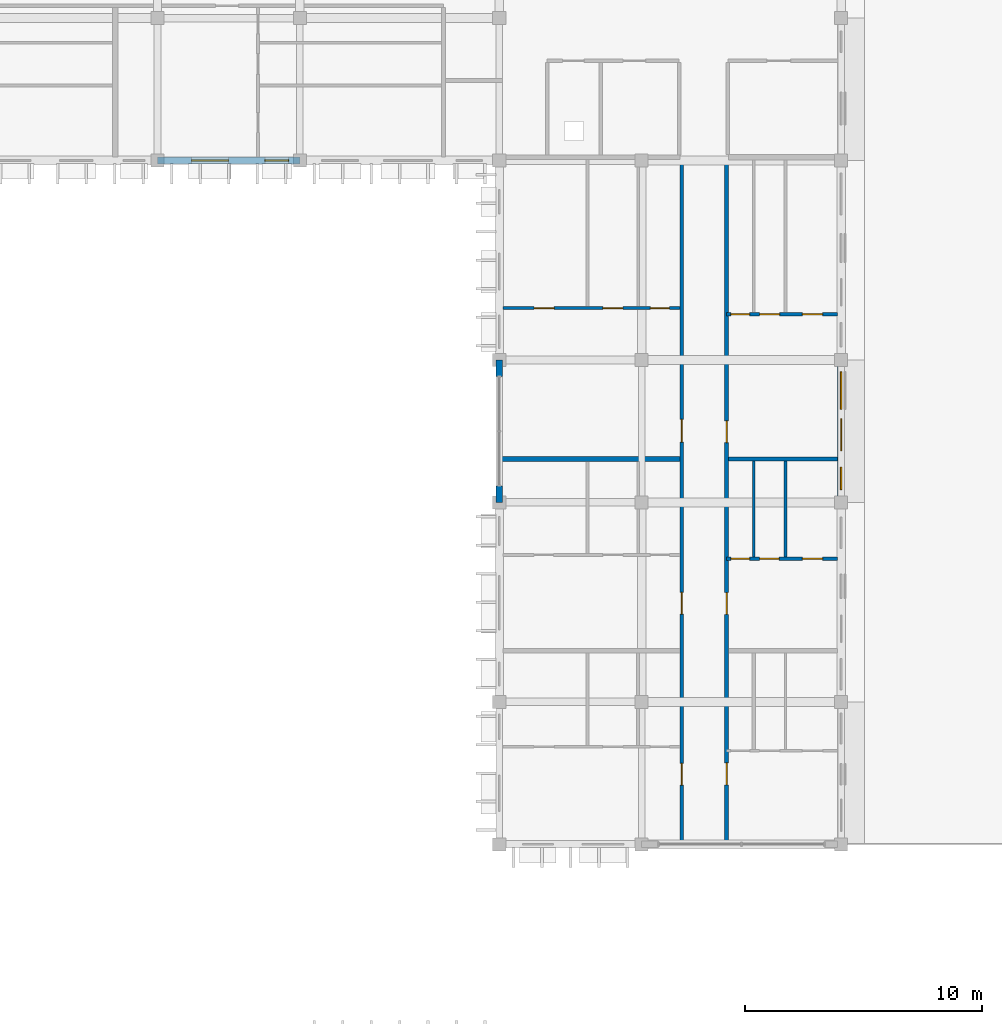
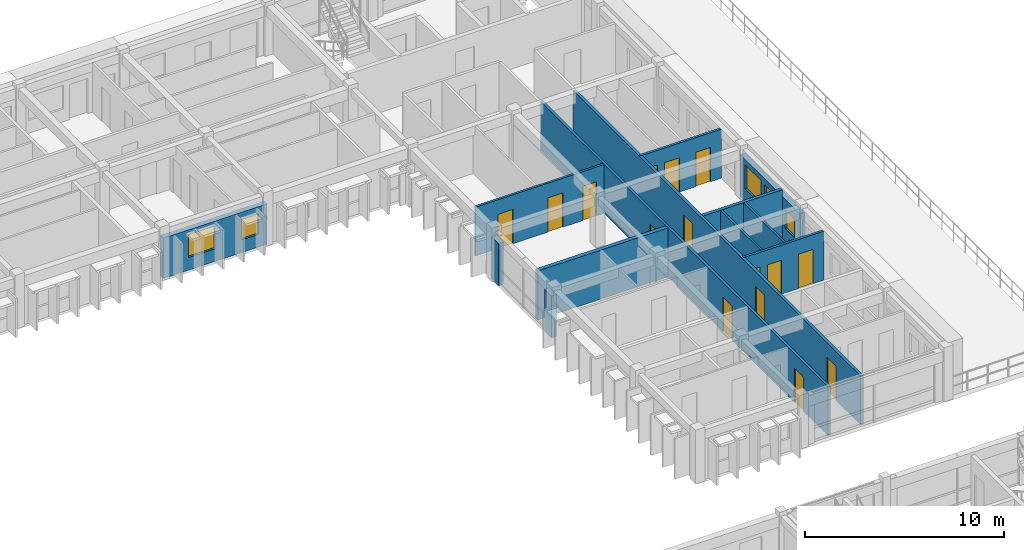
# One storey, part 43 of 68: 16 doors, 13 walls, 4 windows, 20 openings.
"""IFC4 building model written with IfcOpenShell, lengths in metres."""

from ifc_helpers import new_model, si_unit, direction, frame, frame_2d, origin, place, context, subcontext, project, spatial, rectangle, extrude, material, layer, layer_set, type_object, element, fill, save


model = new_model("IFC4")

# Units and contexts
model_context = context("Model", 3, precision=1e-05, world=origin(), true_north=direction((0.0, 1.0)))
body_context = subcontext(model_context, "Body", "Model", "MODEL_VIEW")
ifc_project = project(units=[si_unit("LENGTHUNIT", "METRE"), si_unit("AREAUNIT", "SQUARE_METRE"), si_unit("VOLUMEUNIT", "CUBIC_METRE"), si_unit("PLANEANGLEUNIT", "RADIAN"), si_unit("MASSUNIT", "GRAM", prefix="KILO"), si_unit("THERMODYNAMICTEMPERATUREUNIT", "KELVIN")], contexts=[model_context])

# Site, building, storey
site_placement = place(None, origin())
site = spatial("IfcSite", under=ifc_project, at=site_placement, CompositionType="ELEMENT")
building_placement = place(site_placement, origin())
building = spatial("IfcBuilding", under=site, at=building_placement, Name="Thalorik Housing Commons", CompositionType="ELEMENT")
storey_placement = place(building_placement, frame((0.0, 0.0, 24.60009765625)))
storey = spatial("IfcBuildingStorey", under=building, at=storey_placement, Name="L07", CompositionType="ELEMENT", Elevation=24.60009765625)

# Wall, openings, doors
ifc_material_1 = material(Name="Masonry fire-rated corridor wall", Category="masonry")
ifc_layer_1 = layer(ifc_material_1, 0.14990234375, Name="Masonry fire-rated corridor wall", Category="masonry")
ifc_layer_set_1 = layer_set([ifc_layer_1], Name="Masonry fire-rated corridor wall")
wall_type_1 = type_object("IfcWallType", Name="ARC-WAL-CORR-150", PredefinedType="PARTITIONING", material=ifc_layer_set_1)
wall_1_placement = place(storey_placement, frame((160.080078125, 80.4599609375, 0.0), z_axis=(0.0, 0.0, 1.0), x_axis=(0.0, 1.0, 0.0)))
wall_1 = element("IfcWall", 1, at=wall_1_placement, inside=storey, type_object=wall_type_1, Name="L07 Block B E Corridor Wall 1", PredefinedType="PARTITIONING", context=body_context, shape_type="SweptSolid", body=[
    extrude(rectangle(XDim=28.880126953125, YDim=0.14990234375, at=frame_2d((14.43994140625, 0.0))), origin(), (0.0, 0.0, 1.0), 3.0),
])
opening_1_placement = place(wall_1_placement, frame((2.43115234375, 0.0, 0.0)))
opening_1 = element("IfcOpeningElement", 2, at=opening_1_placement, cuts=wall_1, Name="Opening ID-1328", PredefinedType="OPENING", context=body_context, shape_type="SweptSolid", body=[
    extrude(rectangle(XDim=0.919921875, YDim=2.10009765625, at=frame_2d((0.4599609375, 1.050048828125))), frame((0.0, 0.0849609375, 0.0), z_axis=(0.0, -1.0, 0.0), x_axis=(1.0, 0.0, 0.0)), (0.0, 0.0, 1.0), 0.169921875),
])
opening_2_placement = place(wall_1_placement, frame((9.6298828125, 0.0, 0.0)))
opening_2 = element("IfcOpeningElement", 3, at=opening_2_placement, cuts=wall_1, Name="Opening ID-1329", PredefinedType="OPENING", context=body_context, shape_type="SweptSolid", body=[
    extrude(rectangle(XDim=0.919921875, YDim=2.10009765625, at=frame_2d((0.4599609375, 1.050048828125))), frame((0.0, 0.0849609375, 0.0), z_axis=(0.0, -1.0, 0.0), x_axis=(1.0, 0.0, 0.0)), (0.0, 0.0, 1.0), 0.169921875),
])
opening_3_placement = place(wall_1_placement, frame((16.87890625, 0.0, 0.0)))
opening_3 = element("IfcOpeningElement", 4, at=opening_3_placement, cuts=wall_1, Name="Opening ID-1330", PredefinedType="OPENING", context=body_context, shape_type="SweptSolid", body=[
    extrude(rectangle(XDim=0.9599609375, YDim=2.1201171875, at=frame_2d((0.47998046875, 1.06005859375))), frame((0.0, 0.0849609375, 0.0), z_axis=(0.0, -1.0, 0.0), x_axis=(1.0, 0.0, 0.0)), (0.0, 0.0, 1.0), 0.169921875),
])
ifc_material_2 = material(Name="Solid core hardwood timber", Category="wood")
door_type_1 = type_object("IfcDoorType", Name="ARC-DR-FD30-920", OperationType="NOTDEFINED", PredefinedType="DOOR", material=ifc_material_2)
door_1_placement = place(opening_1_placement, origin())
door_1 = element("IfcDoor", 5, at=door_1_placement, inside=storey, type_object=door_type_1, Name="L07 Flat BE-1A Entrance Door", OperationType="SINGLE_SWING_LEFT", OverallHeight=2.10009765625, OverallWidth=0.919921875, PredefinedType="DOOR", context=body_context, shape_type="SweptSolid", body=[
    extrude(rectangle(XDim=0.919921875, YDim=2.10009765625, at=frame_2d((0.4599609375, 1.050048828125))), frame((0.0, 0.02490234375, 0.0), z_axis=(0.0, -1.0, 0.0), x_axis=(1.0, 0.0, 0.0)), (0.0, 0.0, 1.0), 0.050048828125),
])
fill(opening_1, door_1)
door_2_placement = place(opening_2_placement, origin())
door_2 = element("IfcDoor", 6, at=door_2_placement, inside=storey, type_object=door_type_1, Name="L07 Flat BE-2A Entrance Door", OperationType="SINGLE_SWING_RIGHT", OverallHeight=2.10009765625, OverallWidth=0.919921875, PredefinedType="DOOR", context=body_context, shape_type="SweptSolid", body=[
    extrude(rectangle(XDim=0.919921875, YDim=2.10009765625, at=frame_2d((0.4599609375, 1.050048828125))), frame((0.0, 0.02490234375, 0.0), z_axis=(0.0, -1.0, 0.0), x_axis=(1.0, 0.0, 0.0)), (0.0, 0.0, 1.0), 0.050048828125),
])
fill(opening_2, door_2)
door_type_2 = type_object("IfcDoorType", Name="ARC-DR-FD30-960", OperationType="NOTDEFINED", PredefinedType="DOOR", material=ifc_material_2)
door_3_placement = place(opening_3_placement, origin())
door_3 = element("IfcDoor", 7, at=door_3_placement, inside=storey, type_object=door_type_2, Name="L07 Flat BE-3A Entrance Door", OperationType="SINGLE_SWING_LEFT", OverallHeight=2.1201171875, OverallWidth=0.9599609375, PredefinedType="DOOR", context=body_context, shape_type="SweptSolid", body=[
    extrude(rectangle(XDim=0.9599609375, YDim=2.1201171875, at=frame_2d((0.47998046875, 1.06005859375))), frame((0.0, 0.02490234375, 0.0), z_axis=(0.0, -1.0, 0.0), x_axis=(1.0, 0.0, 0.0)), (0.0, 0.0, 1.0), 0.050048828125),
])
fill(opening_3, door_3)

ifc_layer_2 = layer(ifc_material_1, 0.1650390625, Name="Masonry fire-rated corridor wall", Category="masonry")
ifc_layer_set_2 = layer_set([ifc_layer_2], Name="Masonry fire-rated corridor wall")
wall_type_2 = type_object("IfcWallType", Name="ARC-WAL-CORR-165", PredefinedType="PARTITIONING", material=ifc_layer_set_2)
wall_2_placement = place(storey_placement, frame((161.97998046875, 80.4599609375, 0.0), z_axis=(0.0, 0.0, 1.0), x_axis=(0.0, 1.0, 0.0)))
wall_2 = element("IfcWall", 8, at=wall_2_placement, inside=storey, type_object=wall_type_2, Name="L07 Block B E Corridor Wall 2", PredefinedType="PARTITIONING", context=body_context, shape_type="SweptSolid", body=[
    extrude(rectangle(XDim=28.880126953125, YDim=0.1650390625, at=frame_2d((14.43994140625, 0.0))), origin(), (0.0, 0.0, 1.0), 3.0),
])
opening_4_placement = place(wall_2_placement, frame((2.446044921875, 0.0, 0.0)))
opening_4 = element("IfcOpeningElement", 9, at=opening_4_placement, cuts=wall_2, Name="Opening ID-1331", PredefinedType="OPENING", context=body_context, shape_type="SweptSolid", body=[
    extrude(rectangle(XDim=0.919921875, YDim=2.10009765625, at=frame_2d((0.4599609375, 1.050048828125))), frame((0.0, 0.092529296875, 0.0), z_axis=(0.0, -1.0, 0.0), x_axis=(1.0, 0.0, 0.0)), (0.0, 0.0, 1.0), 0.18505859375),
])
opening_5_placement = place(wall_2_placement, frame((9.624755859375, 0.0, 0.0)))
opening_5 = element("IfcOpeningElement", 10, at=opening_5_placement, cuts=wall_2, Name="Opening ID-1332", PredefinedType="OPENING", context=body_context, shape_type="SweptSolid", body=[
    extrude(rectangle(XDim=0.919921875, YDim=2.10009765625, at=frame_2d((0.4599609375, 1.050048828125))), frame((0.0, 0.092529296875, 0.0), z_axis=(0.0, -1.0, 0.0), x_axis=(1.0, 0.0, 0.0)), (0.0, 0.0, 1.0), 0.18505859375),
])
opening_6_placement = place(wall_2_placement, frame((16.85498046875, 0.0, 0.0)))
opening_6 = element("IfcOpeningElement", 11, at=opening_6_placement, cuts=wall_2, Name="Opening ID-1333", PredefinedType="OPENING", context=body_context, shape_type="SweptSolid", body=[
    extrude(rectangle(XDim=0.919921875, YDim=2.10009765625, at=frame_2d((0.4599609375, 1.050048828125))), frame((0.0, 0.092529296875, 0.0), z_axis=(0.0, -1.0, 0.0), x_axis=(1.0, 0.0, 0.0)), (0.0, 0.0, 1.0), 0.18505859375),
])
door_4_placement = place(opening_4_placement, origin())
door_4 = element("IfcDoor", 12, at=door_4_placement, inside=storey, type_object=door_type_1, Name="L07 Flat BE-1B Entrance Door", OperationType="SINGLE_SWING_RIGHT", OverallHeight=2.10009765625, OverallWidth=0.919921875, PredefinedType="DOOR", context=body_context, shape_type="SweptSolid", body=[
    extrude(rectangle(XDim=0.919921875, YDim=2.10009765625, at=frame_2d((0.4599609375, 1.050048828125))), frame((0.0, 0.02490234375, 0.0), z_axis=(0.0, -1.0, 0.0), x_axis=(1.0, 0.0, 0.0)), (0.0, 0.0, 1.0), 0.050048828125),
])
fill(opening_4, door_4)
door_5_placement = place(opening_5_placement, origin())
door_5 = element("IfcDoor", 13, at=door_5_placement, inside=storey, type_object=door_type_1, Name="L07 Flat BE-2B Entrance Door", OperationType="SINGLE_SWING_LEFT", OverallHeight=2.10009765625, OverallWidth=0.919921875, PredefinedType="DOOR", context=body_context, shape_type="SweptSolid", body=[
    extrude(rectangle(XDim=0.919921875, YDim=2.10009765625, at=frame_2d((0.4599609375, 1.050048828125))), frame((0.0, 0.02490234375, 0.0), z_axis=(0.0, -1.0, 0.0), x_axis=(1.0, 0.0, 0.0)), (0.0, 0.0, 1.0), 0.050048828125),
])
fill(opening_5, door_5)
door_6_placement = place(opening_6_placement, origin())
door_6 = element("IfcDoor", 14, at=door_6_placement, inside=storey, type_object=door_type_1, Name="L07 Flat BE-3B Entrance Door", OperationType="SINGLE_SWING_RIGHT", OverallHeight=2.10009765625, OverallWidth=0.919921875, PredefinedType="DOOR", context=body_context, shape_type="SweptSolid", body=[
    extrude(rectangle(XDim=0.919921875, YDim=2.10009765625, at=frame_2d((0.4599609375, 1.050048828125))), frame((0.0, 0.02490234375, 0.0), z_axis=(0.0, -1.0, 0.0), x_axis=(1.0, 0.0, 0.0)), (0.0, 0.0, 1.0), 0.050048828125),
])
fill(opening_6, door_6)

# Wall, openings, windows
ifc_material_3 = material(Name="White precast concrete C40/50", Category="concrete")
ifc_layer_3 = layer(ifc_material_3, 0.2900390625, Name="White precast concrete C40/50", Category="concrete")
ifc_layer_set_3 = layer_set([ifc_layer_3], Name="White precast concrete C40/50")
wall_type_3 = type_object("IfcWallType", Name="ARC-WAL-EXT-290", PredefinedType="STANDARD", material=ifc_layer_set_3)
wall_3_placement = place(storey_placement, frame((138.0, 109.199951171875, 0.0), z_axis=(0.0, 0.0, 1.0), x_axis=(1.0, 0.0, 0.0)))
wall_3 = element("IfcWall", 15, at=wall_3_placement, inside=storey, type_object=wall_type_3, Name="L07 Exterior Wall WAL-EXT-L07-B-0659", PredefinedType="STANDARD", context=body_context, shape_type="SweptSolid", body=[
    extrude(rectangle(XDim=6.0, YDim=0.2900390625, at=frame_2d((3.0, 0.0))), origin(), (0.0, 0.0, 1.0), 2.474853515625),
])
opening_7_placement = place(wall_3_placement, frame((1.4375, 0.0, 0.780029296875)))
opening_7 = element("IfcOpeningElement", 16, at=opening_7_placement, cuts=wall_3, Name="Opening W-12", PredefinedType="OPENING", context=body_context, shape_type="SweptSolid", body=[
    extrude(rectangle(XDim=1.550048828125, YDim=1.39990234375, at=frame_2d((0.77490234375, 0.699951171875))), frame((0.0, 0.155029296875, 0.0), z_axis=(0.0, -1.0, 0.0), x_axis=(1.0, 0.0, 0.0)), (0.0, 0.0, 1.0), 0.31005859375),
])
opening_8_placement = place(wall_3_placement, frame((4.5224609375, 0.0, 0.780029296875)))
opening_8 = element("IfcOpeningElement", 17, at=opening_8_placement, cuts=wall_3, Name="Opening W-02", PredefinedType="OPENING", context=body_context, shape_type="SweptSolid", body=[
    extrude(rectangle(XDim=1.0, YDim=1.25, at=frame_2d((0.5, 0.625))), frame((0.0, 0.155029296875, 0.0), z_axis=(0.0, -1.0, 0.0), x_axis=(1.0, 0.0, 0.0)), (0.0, 0.0, 1.0), 0.31005859375),
])
ifc_material_4 = material(Name="Anodised aluminium and solar-control low-E glass", Category="aluminium")
window_type_1 = type_object("IfcWindowType", Name="ARC-WIN-02", PartitioningType="SINGLE_PANEL", PredefinedType="WINDOW", material=ifc_material_4)
window_1_placement = place(opening_8_placement, origin())
window_1 = element("IfcWindow", 18, at=window_1_placement, inside=storey, type_object=window_type_1, Name="L07 Facade Window 1205", OverallHeight=1.25, OverallWidth=1.0, PartitioningType="SINGLE_PANEL", PredefinedType="WINDOW", context=body_context, shape_type="SweptSolid", body=[
    extrude(rectangle(XDim=1.0, YDim=1.25, at=frame_2d((0.5, 0.625))), frame((0.0, 0.030029296875, 0.0), z_axis=(0.0, -1.0, 0.0), x_axis=(1.0, 0.0, 0.0)), (0.0, 0.0, 1.0), 0.06005859375),
])
fill(opening_8, window_1)
window_type_2 = type_object("IfcWindowType", Name="ARC-WIN-12", PartitioningType="SINGLE_PANEL", PredefinedType="WINDOW", material=ifc_material_4)
window_2_placement = place(opening_7_placement, origin())
window_2 = element("IfcWindow", 19, at=window_2_placement, inside=storey, type_object=window_type_2, Name="L07 Facade Window 1204", OverallHeight=1.39990234375, OverallWidth=1.550048828125, PartitioningType="SINGLE_PANEL", PredefinedType="WINDOW", context=body_context, shape_type="SweptSolid", body=[
    extrude(rectangle(XDim=1.550048828125, YDim=1.39990234375, at=frame_2d((0.77490234375, 0.699951171875))), frame((0.0, 0.030029296875, 0.0), z_axis=(0.0, -1.0, 0.0), x_axis=(1.0, 0.0, 0.0)), (0.0, 0.0, 1.0), 0.06005859375),
])
fill(opening_7, window_2)

# Walls
for number, where, z_axis, x_axis, name in (
    (20, (152.39990234375, 100.800048828125, 0.0), (0.0, 0.0, 1.0), (0.0, -1.0, 0.0), "L07 Exterior Wall WAL-PIERL-L07-B-0662"),
    (21, (152.39990234375, 95.5, 0.0), (0.0, 0.0, 1.0), (0.0, -1.0, 0.0), "L07 Exterior Wall WAL-PIERR-L07-B-0662"),
):
    element("IfcWall", number, at=place(storey_placement, frame(where, z_axis=z_axis, x_axis=x_axis)), inside=storey, type_object=wall_type_3, Name=name, PredefinedType="STANDARD", context=body_context, shape_type="SweptSolid", body=[
        extrude(rectangle(XDim=0.699951171875, YDim=0.2900390625, at=frame_2d((0.35009765625, 0.0))), origin(), (0.0, 0.0, 1.0), 2.574951171875),
    ])

# Wall, openings, door, windows
wall_4_placement = place(storey_placement, frame((166.800048828125, 94.800048828125, 0.0), z_axis=(0.0, 0.0, 1.0), x_axis=(0.0, 1.0, 0.0)))
wall_4 = element("IfcWall", 22, at=wall_4_placement, inside=storey, type_object=wall_type_3, Name="L07 Exterior Wall WAL-EXT-L07-B-0669", PredefinedType="STANDARD", context=body_context, shape_type="SweptSolid", body=[
    extrude(rectangle(XDim=6.0, YDim=0.2900390625, at=frame_2d((3.0, 0.0))), origin(), (0.0, 0.0, 1.0), 2.574951171875),
])
opening_9_placement = place(wall_4_placement, frame((2.179931640625, 0.0, 0.0)))
opening_9 = element("IfcOpeningElement", 23, at=opening_9_placement, cuts=wall_4, Name="Opening ED-0220", PredefinedType="OPENING", context=body_context, shape_type="SweptSolid", body=[
    extrude(rectangle(XDim=1.35009765625, YDim=2.199951171875, at=frame_2d((0.675048828125, 1.10009765625))), frame((0.0, 0.155029296875, 0.0), z_axis=(0.0, -1.0, 0.0), x_axis=(1.0, 0.0, 0.0)), (0.0, 0.0, 1.0), 0.31005859375),
])
opening_10_placement = place(wall_4_placement, frame((3.9150390625, 0.0, 0.780029296875)))
opening_10 = element("IfcOpeningElement", 24, at=opening_10_placement, cuts=wall_4, Name="Opening W-53", PredefinedType="OPENING", context=body_context, shape_type="SweptSolid", body=[
    extrude(rectangle(XDim=1.580078125, YDim=1.47998046875, at=frame_2d((0.7900390625, 0.739990234375))), frame((0.0, 0.155029296875, 0.0), z_axis=(0.0, -1.0, 0.0), x_axis=(1.0, 0.0, 0.0)), (0.0, 0.0, 1.0), 0.31005859375),
])
opening_11_placement = place(wall_4_placement, frame((0.534912109375, 0.0, 0.780029296875)))
opening_11 = element("IfcOpeningElement", 25, at=opening_11_placement, cuts=wall_4, Name="Opening W-43", PredefinedType="OPENING", context=body_context, shape_type="SweptSolid", body=[
    extrude(rectangle(XDim=0.949951171875, YDim=1.14990234375, at=frame_2d((0.47509765625, 0.574951171875))), frame((0.0, 0.155029296875, 0.0), z_axis=(0.0, -1.0, 0.0), x_axis=(1.0, 0.0, 0.0)), (0.0, 0.0, 1.0), 0.31005859375),
])
ifc_material_5 = material(Name="Anodised aluminium and laminated safety glass", Category="aluminium")
door_type_3 = type_object("IfcDoorType", Name="ARC-DR-TERR-1350", OperationType="NOTDEFINED", PredefinedType="DOOR", material=ifc_material_5)
door_7_placement = place(opening_9_placement, frame((1.35009765625, 0.0, 0.0), z_axis=(0.0, 0.0, 1.0), x_axis=(-1.0, 0.0, 0.0)))
door_7 = element("IfcDoor", 26, at=door_7_placement, inside=storey, type_object=door_type_3, Name="L07 Block B L07 East Sky-Garden Terrace Access Door", OperationType="SINGLE_SWING_LEFT", OverallHeight=2.199951171875, OverallWidth=1.35009765625, PredefinedType="DOOR", context=body_context, shape_type="SweptSolid", body=[
    extrude(rectangle(XDim=1.35009765625, YDim=2.199951171875, at=frame_2d((0.675048828125, 1.10009765625))), frame((0.0, 0.02490234375, 0.0), z_axis=(0.0, -1.0, 0.0), x_axis=(1.0, 0.0, 0.0)), (0.0, 0.0, 1.0), 0.050048828125),
])
fill(opening_9, door_7)
window_type_3 = type_object("IfcWindowType", Name="ARC-WIN-43", PartitioningType="SINGLE_PANEL", PredefinedType="WINDOW", material=ifc_material_4)
window_3_placement = place(opening_11_placement, origin())
window_3 = element("IfcWindow", 27, at=window_3_placement, inside=storey, type_object=window_type_3, Name="L07 Facade Window 1225", OverallHeight=1.14990234375, OverallWidth=0.949951171875, PartitioningType="SINGLE_PANEL", PredefinedType="WINDOW", context=body_context, shape_type="SweptSolid", body=[
    extrude(rectangle(XDim=0.949951171875, YDim=1.14990234375, at=frame_2d((0.47509765625, 0.574951171875))), frame((0.0, 0.030029296875, 0.0), z_axis=(0.0, -1.0, 0.0), x_axis=(1.0, 0.0, 0.0)), (0.0, 0.0, 1.0), 0.06005859375),
])
fill(opening_11, window_3)
window_type_4 = type_object("IfcWindowType", Name="ARC-WIN-53", PartitioningType="SINGLE_PANEL", PredefinedType="WINDOW", material=ifc_material_4)
window_4_placement = place(opening_10_placement, origin())
window_4 = element("IfcWindow", 28, at=window_4_placement, inside=storey, type_object=window_type_4, Name="L07 Facade Window 1224", OverallHeight=1.47998046875, OverallWidth=1.580078125, PartitioningType="SINGLE_PANEL", PredefinedType="WINDOW", context=body_context, shape_type="SweptSolid", body=[
    extrude(rectangle(XDim=1.580078125, YDim=1.47998046875, at=frame_2d((0.7900390625, 0.739990234375))), frame((0.0, 0.030029296875, 0.0), z_axis=(0.0, -1.0, 0.0), x_axis=(1.0, 0.0, 0.0)), (0.0, 0.0, 1.0), 0.06005859375),
])
fill(opening_10, window_4)

# Walls
ifc_material_6 = material(Name="Gypsum moisture-resistant partition", Category="masonry")
ifc_layer_4 = layer(ifc_material_6, 0.114990234375, Name="Gypsum moisture-resistant partition", Category="masonry")
ifc_layer_set_4 = layer_set([ifc_layer_4], Name="Gypsum moisture-resistant partition")
wall_type_4 = type_object("IfcWallType", Name="ARC-WAL-PART-115", PredefinedType="PARTITIONING", material=ifc_layer_set_4)
wall_5_placement = place(storey_placement, frame((163.122314453125, 92.50048828125, 0.0), z_axis=(0.0, 0.0, 1.0), x_axis=(0.0, 1.0, 0.0)))
element("IfcWall", 29, at=wall_5_placement, inside=storey, type_object=wall_type_4, Name="L07 Unit 2B Wet Wall", PredefinedType="PARTITIONING", context=body_context, shape_type="SweptSolid", body=[
    extrude(rectangle(XDim=4.034912109375, YDim=0.114990234375, at=frame_2d((2.017578125, 0.0))), origin(), (0.0, 0.0, 1.0), 3.0),
])
ifc_material_7 = material(Name="Gypsum acoustic stud partition", Category="masonry")
ifc_layer_5 = layer(ifc_material_7, 0.125, Name="Gypsum acoustic stud partition", Category="masonry")
ifc_layer_set_5 = layer_set([ifc_layer_5], Name="Gypsum acoustic stud partition")
wall_type_5 = type_object("IfcWallType", Name="ARC-WAL-PART-125", PredefinedType="PARTITIONING", material=ifc_layer_set_5)
wall_6_placement = place(storey_placement, frame((164.455078125, 92.50048828125, 0.0), z_axis=(0.0, 0.0, 1.0), x_axis=(0.0, 1.0, 0.0)))
element("IfcWall", 30, at=wall_6_placement, inside=storey, type_object=wall_type_5, Name="L07 Unit 2B Bedroom Partition", PredefinedType="PARTITIONING", context=body_context, shape_type="SweptSolid", body=[
    extrude(rectangle(XDim=4.034912109375, YDim=0.125, at=frame_2d((2.017578125, 0.0))), origin(), (0.0, 0.0, 1.0), 3.0),
])

# Wall, openings, doors
wall_7_placement = place(storey_placement, frame((152.547119140625, 102.985107421875, 0.0), z_axis=(0.0, 0.0, 1.0), x_axis=(1.0, 0.0, 0.0)))
wall_7 = element("IfcWall", 31, at=wall_7_placement, inside=storey, type_object=wall_type_5, Name="L07 Unit 3 Spine Partition", PredefinedType="PARTITIONING", context=body_context, shape_type="SweptSolid", body=[
    extrude(rectangle(XDim=7.455810546875, YDim=0.125, at=frame_2d((3.72802734375, 0.0))), origin(), (0.0, 0.0, 1.0), 3.0),
])
opening_12_placement = place(wall_7_placement, frame((1.31689453125, 0.0, 0.0)))
opening_12 = element("IfcOpeningElement", 32, at=opening_12_placement, cuts=wall_7, Name="Opening ID-1322", PredefinedType="OPENING", context=body_context, shape_type="SweptSolid", body=[
    extrude(rectangle(XDim=0.85009765625, YDim=2.10009765625, at=frame_2d((0.425048828125, 1.050048828125))), frame((0.0, 0.072509765625, 0.0), z_axis=(0.0, -1.0, 0.0), x_axis=(1.0, 0.0, 0.0)), (0.0, 0.0, 1.0), 0.14501953125),
])
opening_13_placement = place(wall_7_placement, frame((4.21240234375, 0.0, 0.0)))
opening_13 = element("IfcOpeningElement", 33, at=opening_13_placement, cuts=wall_7, Name="Opening ID-1323", PredefinedType="OPENING", context=body_context, shape_type="SweptSolid", body=[
    extrude(rectangle(XDim=0.85009765625, YDim=2.10009765625, at=frame_2d((0.425048828125, 1.050048828125))), frame((0.0, 0.072509765625, 0.0), z_axis=(0.0, -1.0, 0.0), x_axis=(1.0, 0.0, 0.0)), (0.0, 0.0, 1.0), 0.14501953125),
])
opening_14_placement = place(wall_7_placement, frame((6.218505859375, 0.0, 0.0)))
opening_14 = element("IfcOpeningElement", 34, at=opening_14_placement, cuts=wall_7, Name="Opening ID-1324", PredefinedType="OPENING", context=body_context, shape_type="SweptSolid", body=[
    extrude(rectangle(XDim=0.800048828125, YDim=2.10009765625, at=frame_2d((0.39990234375, 1.050048828125))), frame((0.0, 0.072509765625, 0.0), z_axis=(0.0, -1.0, 0.0), x_axis=(1.0, 0.0, 0.0)), (0.0, 0.0, 1.0), 0.14501953125),
])
ifc_material_8 = material(Name="Moisture-resistant timber", Category="wood")
door_type_4 = type_object("IfcDoorType", Name="ARC-DR-INT-800", OperationType="NOTDEFINED", PredefinedType="DOOR", material=ifc_material_8)
door_8_placement = place(opening_14_placement, origin())
door_8 = element("IfcDoor", 35, at=door_8_placement, inside=storey, type_object=door_type_4, Name="L07 Accessible Bathroom Door", OperationType="SINGLE_SWING_LEFT", OverallHeight=2.10009765625, OverallWidth=0.800048828125, PredefinedType="DOOR", context=body_context, shape_type="SweptSolid", body=[
    extrude(rectangle(XDim=0.800048828125, YDim=2.10009765625, at=frame_2d((0.39990234375, 1.050048828125))), frame((0.0, 0.02490234375, 0.0), z_axis=(0.0, -1.0, 0.0), x_axis=(1.0, 0.0, 0.0)), (0.0, 0.0, 1.0), 0.050048828125),
])
fill(opening_14, door_8)
ifc_material_9 = material(Name="Engineered oak timber", Category="wood")
door_type_5 = type_object("IfcDoorType", Name="ARC-DR-INT-850", OperationType="NOTDEFINED", PredefinedType="DOOR", material=ifc_material_9)
door_9_placement = place(opening_12_placement, origin())
door_9 = element("IfcDoor", 36, at=door_9_placement, inside=storey, type_object=door_type_5, Name="L07 Single Bedroom Door", OperationType="SINGLE_SWING_LEFT", OverallHeight=2.10009765625, OverallWidth=0.85009765625, PredefinedType="DOOR", context=body_context, shape_type="SweptSolid", body=[
    extrude(rectangle(XDim=0.85009765625, YDim=2.10009765625, at=frame_2d((0.425048828125, 1.050048828125))), frame((0.0, 0.02490234375, 0.0), z_axis=(0.0, -1.0, 0.0), x_axis=(1.0, 0.0, 0.0)), (0.0, 0.0, 1.0), 0.050048828125),
])
fill(opening_12, door_9)
door_10_placement = place(opening_13_placement, origin())
door_10 = element("IfcDoor", 37, at=door_10_placement, inside=storey, type_object=door_type_5, Name="L07 Eat-In Kitchen Door", OperationType="SINGLE_SWING_RIGHT", OverallHeight=2.10009765625, OverallWidth=0.85009765625, PredefinedType="DOOR", context=body_context, shape_type="SweptSolid", body=[
    extrude(rectangle(XDim=0.85009765625, YDim=2.10009765625, at=frame_2d((0.425048828125, 1.050048828125))), frame((0.0, 0.02490234375, 0.0), z_axis=(0.0, -1.0, 0.0), x_axis=(1.0, 0.0, 0.0)), (0.0, 0.0, 1.0), 0.050048828125),
])
fill(opening_13, door_10)

ifc_material_10 = material(Name="Ceramic masonry partition wall", Category="masonry")
ifc_layer_6 = layer(ifc_material_10, 0.139892578125, Name="Ceramic masonry partition wall", Category="masonry")
ifc_layer_set_6 = layer_set([ifc_layer_6], Name="Ceramic masonry partition wall")
wall_type_6 = type_object("IfcWallType", Name="ARC-WAL-PART-140", PredefinedType="PARTITIONING", material=ifc_layer_set_6)
wall_8_placement = place(storey_placement, frame((161.97998046875, 92.428466796875, 0.0), z_axis=(0.0, 0.0, 1.0), x_axis=(1.0, 0.0, 0.0)))
wall_8 = element("IfcWall", 38, at=wall_8_placement, inside=storey, type_object=wall_type_6, Name="L07 Unit 2B Spine Partition", PredefinedType="PARTITIONING", context=body_context, shape_type="SweptSolid", body=[
    extrude(rectangle(XDim=4.673095703125, YDim=0.139892578125, at=frame_2d((2.33642578125, 0.0))), origin(), (0.0, 0.0, 1.0), 3.0),
])
opening_15_placement = place(wall_8_placement, frame((0.171142578125, 0.0, 0.0)))
opening_15 = element("IfcOpeningElement", 39, at=opening_15_placement, cuts=wall_8, Name="Opening ID-1319", PredefinedType="OPENING", context=body_context, shape_type="SweptSolid", body=[
    extrude(rectangle(XDim=0.800048828125, YDim=2.10009765625, at=frame_2d((0.39990234375, 1.050048828125))), frame((0.0, 0.080078125, 0.0), z_axis=(0.0, -1.0, 0.0), x_axis=(1.0, 0.0, 0.0)), (0.0, 0.0, 1.0), 0.159912109375),
])
opening_16_placement = place(wall_8_placement, frame((1.3837890625, 0.0, 0.0)))
opening_16 = element("IfcOpeningElement", 40, at=opening_16_placement, cuts=wall_8, Name="Opening ID-1320", PredefinedType="OPENING", context=body_context, shape_type="SweptSolid", body=[
    extrude(rectangle(XDim=0.820068359375, YDim=2.080078125, at=frame_2d((0.41015625, 1.0400390625))), frame((0.0, 0.080078125, 0.0), z_axis=(0.0, -1.0, 0.0), x_axis=(1.0, 0.0, 0.0)), (0.0, 0.0, 1.0), 0.159912109375),
])
opening_17_placement = place(wall_8_placement, frame((3.192626953125, 0.0, 0.0)))
opening_17 = element("IfcOpeningElement", 41, at=opening_17_placement, cuts=wall_8, Name="Opening ID-1321", PredefinedType="OPENING", context=body_context, shape_type="SweptSolid", body=[
    extrude(rectangle(XDim=0.85009765625, YDim=2.10009765625, at=frame_2d((0.425048828125, 1.050048828125))), frame((0.0, 0.080078125, 0.0), z_axis=(0.0, -1.0, 0.0), x_axis=(1.0, 0.0, 0.0)), (0.0, 0.0, 1.0), 0.159912109375),
])
door_11_placement = place(opening_15_placement, origin())
door_11 = element("IfcDoor", 42, at=door_11_placement, inside=storey, type_object=door_type_4, Name="L07 Flat Bathroom Door", OperationType="SINGLE_SWING_RIGHT", OverallHeight=2.10009765625, OverallWidth=0.800048828125, PredefinedType="DOOR", context=body_context, shape_type="SweptSolid", body=[
    extrude(rectangle(XDim=0.800048828125, YDim=2.10009765625, at=frame_2d((0.39990234375, 1.050048828125))), frame((0.0, 0.02490234375, 0.0), z_axis=(0.0, -1.0, 0.0), x_axis=(1.0, 0.0, 0.0)), (0.0, 0.0, 1.0), 0.050048828125),
])
fill(opening_15, door_11)
door_type_6 = type_object("IfcDoorType", Name="ARC-DR-INT-820", OperationType="NOTDEFINED", PredefinedType="DOOR", material=ifc_material_9)
door_12_placement = place(opening_16_placement, origin())
door_12 = element("IfcDoor", 43, at=door_12_placement, inside=storey, type_object=door_type_6, Name="L07 Galley Kitchen Door", OperationType="SINGLE_SWING_LEFT", OverallHeight=2.080078125, OverallWidth=0.820068359375, PredefinedType="DOOR", context=body_context, shape_type="SweptSolid", body=[
    extrude(rectangle(XDim=0.820068359375, YDim=2.080078125, at=frame_2d((0.41015625, 1.0400390625))), frame((0.0, 0.02490234375, 0.0), z_axis=(0.0, -1.0, 0.0), x_axis=(1.0, 0.0, 0.0)), (0.0, 0.0, 1.0), 0.050048828125),
])
fill(opening_16, door_12)
door_13_placement = place(opening_17_placement, origin())
door_13 = element("IfcDoor", 44, at=door_13_placement, inside=storey, type_object=door_type_5, Name="L07 Single Bedroom Door", OperationType="SINGLE_SWING_RIGHT", OverallHeight=2.10009765625, OverallWidth=0.85009765625, PredefinedType="DOOR", context=body_context, shape_type="SweptSolid", body=[
    extrude(rectangle(XDim=0.85009765625, YDim=2.10009765625, at=frame_2d((0.425048828125, 1.050048828125))), frame((0.0, 0.02490234375, 0.0), z_axis=(0.0, -1.0, 0.0), x_axis=(1.0, 0.0, 0.0)), (0.0, 0.0, 1.0), 0.050048828125),
])
fill(opening_17, door_13)

wall_9_placement = place(storey_placement, frame((161.97998046875, 102.730712890625, 0.0), z_axis=(0.0, 0.0, 1.0), x_axis=(1.0, 0.0, 0.0)))
wall_9 = element("IfcWall", 45, at=wall_9_placement, inside=storey, type_object=wall_type_6, Name="L07 Unit 3B Spine Partition", PredefinedType="PARTITIONING", context=body_context, shape_type="SweptSolid", body=[
    extrude(rectangle(XDim=4.673095703125, YDim=0.139892578125, at=frame_2d((2.33642578125, 0.0))), origin(), (0.0, 0.0, 1.0), 3.0),
])
opening_18_placement = place(wall_9_placement, frame((0.171142578125, 0.0, 0.0)))
opening_18 = element("IfcOpeningElement", 46, at=opening_18_placement, cuts=wall_9, Name="Opening ID-1325", PredefinedType="OPENING", context=body_context, shape_type="SweptSolid", body=[
    extrude(rectangle(XDim=0.800048828125, YDim=2.10009765625, at=frame_2d((0.39990234375, 1.050048828125))), frame((0.0, 0.080078125, 0.0), z_axis=(0.0, -1.0, 0.0), x_axis=(1.0, 0.0, 0.0)), (0.0, 0.0, 1.0), 0.159912109375),
])
opening_19_placement = place(wall_9_placement, frame((1.3837890625, 0.0, 0.0)))
opening_19 = element("IfcOpeningElement", 47, at=opening_19_placement, cuts=wall_9, Name="Opening ID-1326", PredefinedType="OPENING", context=body_context, shape_type="SweptSolid", body=[
    extrude(rectangle(XDim=0.85009765625, YDim=2.10009765625, at=frame_2d((0.425048828125, 1.050048828125))), frame((0.0, 0.080078125, 0.0), z_axis=(0.0, -1.0, 0.0), x_axis=(1.0, 0.0, 0.0)), (0.0, 0.0, 1.0), 0.159912109375),
])
opening_20_placement = place(wall_9_placement, frame((3.192626953125, 0.0, 0.0)))
opening_20 = element("IfcOpeningElement", 48, at=opening_20_placement, cuts=wall_9, Name="Opening ID-1327", PredefinedType="OPENING", context=body_context, shape_type="SweptSolid", body=[
    extrude(rectangle(XDim=0.85009765625, YDim=2.10009765625, at=frame_2d((0.425048828125, 1.050048828125))), frame((0.0, 0.080078125, 0.0), z_axis=(0.0, -1.0, 0.0), x_axis=(1.0, 0.0, 0.0)), (0.0, 0.0, 1.0), 0.159912109375),
])
door_14_placement = place(opening_18_placement, origin())
door_14 = element("IfcDoor", 49, at=door_14_placement, inside=storey, type_object=door_type_4, Name="L07 Flat Bathroom Door", OperationType="SINGLE_SWING_RIGHT", OverallHeight=2.10009765625, OverallWidth=0.800048828125, PredefinedType="DOOR", context=body_context, shape_type="SweptSolid", body=[
    extrude(rectangle(XDim=0.800048828125, YDim=2.10009765625, at=frame_2d((0.39990234375, 1.050048828125))), frame((0.0, 0.02490234375, 0.0), z_axis=(0.0, -1.0, 0.0), x_axis=(1.0, 0.0, 0.0)), (0.0, 0.0, 1.0), 0.050048828125),
])
fill(opening_18, door_14)
door_15_placement = place(opening_19_placement, origin())
door_15 = element("IfcDoor", 50, at=door_15_placement, inside=storey, type_object=door_type_5, Name="L07 Eat-In Kitchen Door", OperationType="SINGLE_SWING_LEFT", OverallHeight=2.10009765625, OverallWidth=0.85009765625, PredefinedType="DOOR", context=body_context, shape_type="SweptSolid", body=[
    extrude(rectangle(XDim=0.85009765625, YDim=2.10009765625, at=frame_2d((0.425048828125, 1.050048828125))), frame((0.0, 0.02490234375, 0.0), z_axis=(0.0, -1.0, 0.0), x_axis=(1.0, 0.0, 0.0)), (0.0, 0.0, 1.0), 0.050048828125),
])
fill(opening_19, door_15)
door_16_placement = place(opening_20_placement, origin())
door_16 = element("IfcDoor", 51, at=door_16_placement, inside=storey, type_object=door_type_5, Name="L07 Master Bedroom Door", OperationType="SINGLE_SWING_RIGHT", OverallHeight=2.10009765625, OverallWidth=0.85009765625, PredefinedType="DOOR", context=body_context, shape_type="SweptSolid", body=[
    extrude(rectangle(XDim=0.85009765625, YDim=2.10009765625, at=frame_2d((0.425048828125, 1.050048828125))), frame((0.0, 0.02490234375, 0.0), z_axis=(0.0, -1.0, 0.0), x_axis=(1.0, 0.0, 0.0)), (0.0, 0.0, 1.0), 0.050048828125),
])
fill(opening_20, door_16)

# Walls
ifc_material_11 = material(Name="Masonry acoustic blockwork wall", Category="masonry")
ifc_layer_7 = layer(ifc_material_11, 0.18505859375, Name="Masonry acoustic blockwork wall", Category="masonry")
ifc_layer_set_7 = layer_set([ifc_layer_7], Name="Masonry acoustic blockwork wall")
wall_type_7 = type_object("IfcWallType", Name="ARC-WAL-PARTY-185", PredefinedType="PARTITIONING", material=ifc_layer_set_7)
wall_10_placement = place(storey_placement, frame((162.064453125, 96.6298828125, 0.0), z_axis=(0.0, 0.0, 1.0), x_axis=(1.0, 0.0, 0.0)))
element("IfcWall", 52, at=wall_10_placement, inside=storey, type_object=wall_type_7, Name="L07 Inter-Tenancy Wall 2B", PredefinedType="PARTITIONING", context=body_context, shape_type="SweptSolid", body=[
    extrude(rectangle(XDim=4.588623046875, YDim=0.18505859375, at=frame_2d((2.29443359375, 0.0))), origin(), (0.0, 0.0, 1.0), 3.0),
])
ifc_material_12 = material(Name="Precast concrete C40/50 acoustic wall", Category="concrete")
ifc_layer_8 = layer(ifc_material_12, 0.219970703125, Name="Precast concrete C40/50 acoustic wall", Category="concrete")
ifc_layer_set_8 = layer_set([ifc_layer_8], Name="Precast concrete C40/50 acoustic wall")
wall_type_8 = type_object("IfcWallType", Name="ARC-WAL-PARTY-220", PredefinedType="PARTITIONING", material=ifc_layer_set_8)
wall_11_placement = place(storey_placement, frame((152.4599609375, 96.6298828125, 0.0), z_axis=(0.0, 0.0, 1.0), x_axis=(1.0, 0.0, 0.0)))
element("IfcWall", 53, at=wall_11_placement, inside=storey, type_object=wall_type_8, Name="L07 Inter-Tenancy Wall 2A", PredefinedType="PARTITIONING", context=body_context, shape_type="SweptSolid", body=[
    extrude(rectangle(XDim=7.54296875, YDim=0.219970703125, at=frame_2d((3.771484375, 0.0))), origin(), (0.0, 0.0, 1.0), 3.0),
])

save(model, "model.ifc")
